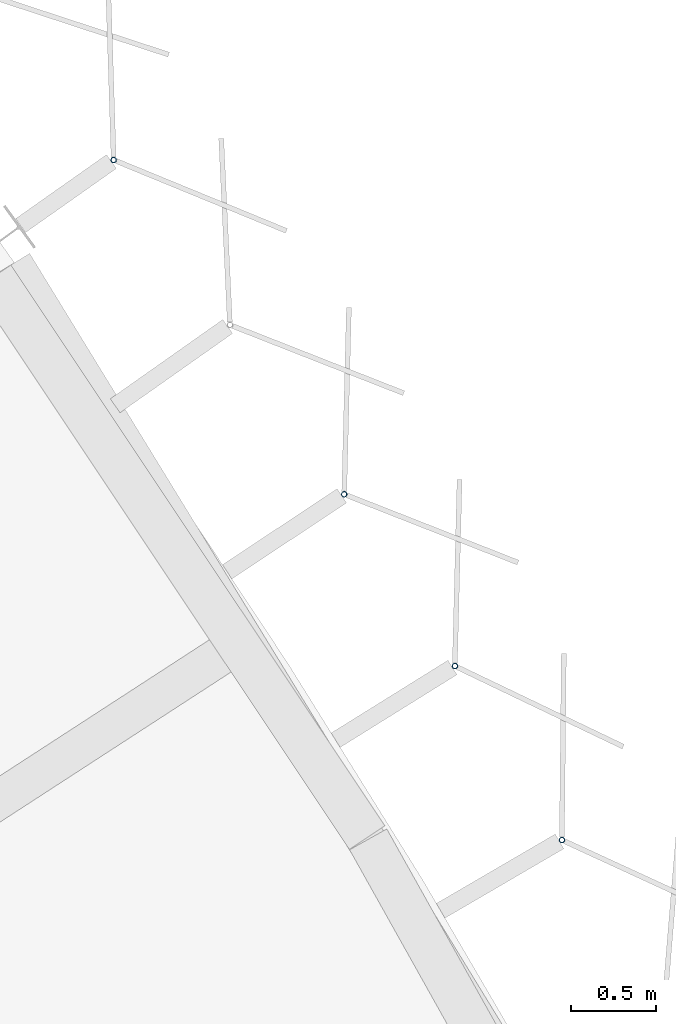
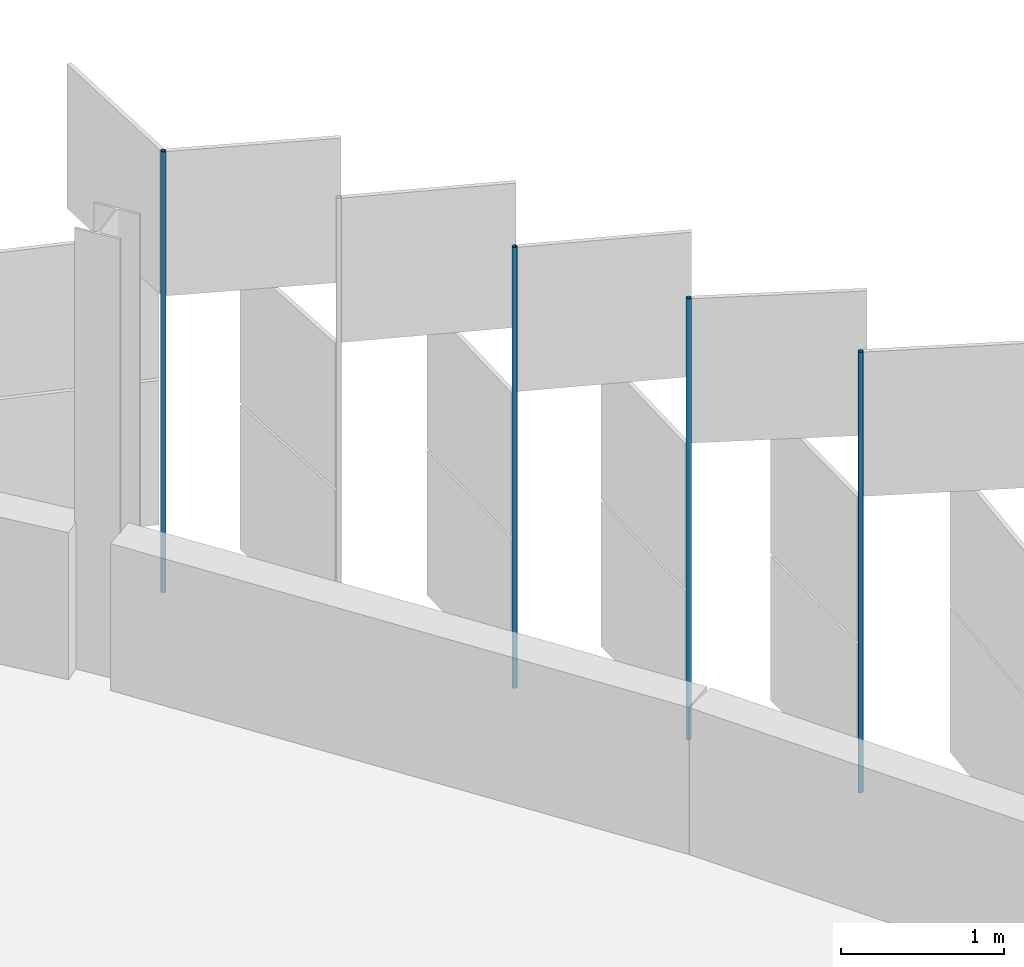
# One storey, part 124 of 198: 4 discrete accessories.
"""IFC4 building model written with IfcOpenShell, lengths in metres."""

import ifcopenshell
import ifcopenshell.guid

model = None  # the IFC model being written
_history = None  # IfcOwnerHistory: only IFC2X3 demands one
_inside = {}  # id of a spatial element -> (the spatial element, [elements in it])
_under = {}  # id of a project, library or spatial element -> (it, [spatial elements below it])
_declared = {}  # id of a project -> (the project, [libraries it declares])
_typed = {}  # id of a type object -> (the type object, [elements of that type])
_made_of = {}  # id of a material, layer set ... -> (it, [elements and type objects made of it])


def new_model(schema):
    """Start an empty IFC model of exactly this schema.

    Asked for "IFC4X3", IfcOpenShell would pick the latest addendum, in which some entities
    have other attributes; the version numbers below select the first issue.
    IFC2X3 requires an IfcOwnerHistory on every rooted entity: one is made here for all.
    """
    global model, _history
    if schema == "IFC4X3":
        model = ifcopenshell.file(schema_version=(4, 3, 0, 0))
    else:
        model = ifcopenshell.file(schema=schema)
    _inside.clear()
    _under.clear()
    _declared.clear()
    _typed.clear()
    _made_of.clear()
    _history = None
    if model.schema == "IFC2X3":
        org = make("IfcOrganization", Name="unknown")
        user = make(
            "IfcPersonAndOrganization",
            ThePerson=make("IfcPerson", FamilyName="unknown"),
            TheOrganization=org,
        )
        app = make(
            "IfcApplication",
            ApplicationDeveloper=org,
            Version="unknown",
            ApplicationFullName="unknown",
            ApplicationIdentifier="unknown",
        )
        _history = make(
            "IfcOwnerHistory",
            OwningUser=user,
            OwningApplication=app,
            ChangeAction="ADDED",
            CreationDate=0,
        )
    return model


def make(cls, **values):
    """One entity of the class cls with the attributes given. An attribute that is None is left unset."""
    return model.create_entity(
        cls, **{name: value for name, value in values.items() if value is not None}
    )


def rooted(cls, **values):
    """An entity with a GlobalId (a new one), such as an element, a storey or a relation."""
    return make(cls, GlobalId=ifcopenshell.guid.new(), OwnerHistory=_history, **values)


def si_unit(unit_type, name, prefix=None):
    """IfcSIUnit, for example si_unit("LENGTHUNIT", "METRE", prefix="MILLI")."""
    return make("IfcSIUnit", UnitType=unit_type, Prefix=prefix, Name=name)


def assignment(units):
    """IfcUnitAssignment: the units of a project."""
    return None if units is None else make("IfcUnitAssignment", Units=units)


def point(xyz):
    """IfcCartesianPoint."""
    return None if xyz is None else make("IfcCartesianPoint", Coordinates=xyz)


def direction(xyz):
    """IfcDirection."""
    return None if xyz is None else make("IfcDirection", DirectionRatios=xyz)


def frame(location, z_axis=None, x_axis=None):
    """IfcAxis2Placement3D, a coordinate frame: its origin and axes. An axis left out is left unset."""
    return make(
        "IfcAxis2Placement3D",
        Location=point(location),
        Axis=direction(z_axis),
        RefDirection=direction(x_axis),
    )


def frame_2d(location, x_axis=None):
    """IfcAxis2Placement2D, a coordinate frame in the plane: its origin and x axis."""
    return make(
        "IfcAxis2Placement2D", Location=point(location), RefDirection=direction(x_axis)
    )


def origin():
    """The frame at (0, 0, 0) with its axes left unset."""
    return frame((0.0, 0.0, 0.0))


def origin_2d():
    """The frame at (0, 0) in the plane with its x axis left unset."""
    return frame_2d((0.0, 0.0))


def place(relative_to, where):
    """IfcLocalPlacement: puts the frame where relative to a parent placement (None: the world)."""
    return make(
        "IfcLocalPlacement", PlacementRelTo=relative_to, RelativePlacement=where
    )


def context(
    kind, dimensions, precision=None, world=None, true_north=None, identifier=None
):
    """IfcGeometricRepresentationContext, for example the 3D "Model" context."""
    return make(
        "IfcGeometricRepresentationContext",
        ContextIdentifier=identifier,
        ContextType=kind,
        CoordinateSpaceDimension=dimensions,
        Precision=precision,
        WorldCoordinateSystem=world,
        TrueNorth=true_north,
    )


def subcontext(parent, identifier, kind, view, scale=None):
    """IfcGeometricRepresentationSubContext, for example "Body" below "Model"."""
    return make(
        "IfcGeometricRepresentationSubContext",
        ContextIdentifier=identifier,
        ContextType=kind,
        ParentContext=parent,
        TargetScale=scale,
        TargetView=view,
    )


def project(units=None, contexts=None):
    """IfcProject with its units and contexts."""
    return rooted(
        "IfcProject",
        Name="project",
        RepresentationContexts=contexts,
        UnitsInContext=assignment(units),
    )


def spatial(cls, under=None, at=None, **own):
    """A site, building, storey or space (cls), placed at a placement, below another one or the project."""
    s = rooted(cls, ObjectPlacement=at, **own)
    if under is not None:
        _under.setdefault(under.id(), (under, []))[1].append(s)
    return s


def profile(cls, at=None, kind="AREA", **sizes):
    """A parametric profile (cls). Its sizes go by their IFC names, for example OverallWidth=200.0."""
    return make(cls, ProfileType=kind, Position=at, **sizes)


def hollow_circle(**sizes):
    """IfcCircleHollowProfileDef."""
    return profile("IfcCircleHollowProfileDef", **sizes)


def extrude(swept, where, along, depth):
    """IfcExtrudedAreaSolid: the profile swept, set in the frame where, extruded along a direction by depth."""
    return make(
        "IfcExtrudedAreaSolid",
        SweptArea=swept,
        Position=where,
        ExtrudedDirection=direction(along),
        Depth=depth,
    )


def shape(context_of_items, identifier, shape_type, items):
    """IfcShapeRepresentation: the items that make up one representation, for example the "Body"."""
    return make(
        "IfcShapeRepresentation",
        ContextOfItems=context_of_items,
        RepresentationIdentifier=identifier,
        RepresentationType=shape_type,
        Items=items,
    )


def material(Name=None, Category=None):
    """IfcMaterial."""
    return make("IfcMaterial", Name=Name, Category=Category)


def material_profile(
    of_material, cross_section, Name=None, Category=None, Priority=None
):
    """IfcMaterialProfile: a cross section and its material."""
    return make(
        "IfcMaterialProfile",
        Name=Name,
        Material=of_material,
        Profile=cross_section,
        Priority=Priority,
        Category=Category,
    )


def profile_set(profiles, Name=None, composite=None):
    """IfcMaterialProfileSet."""
    return make(
        "IfcMaterialProfileSet",
        Name=Name,
        MaterialProfiles=profiles,
        CompositeProfile=composite,
    )


def made_of(thing, what):
    """Note that an element or type object is made of a material, layer set ...; save() writes the relation."""
    if what is not None:
        _made_of.setdefault(what.id(), (what, []))[1].append(thing)
    return thing


def type_object(cls, material=None, **own):
    """A type object (cls), such as IfcWallType, which elements share."""
    return made_of(rooted(cls, **own), material)


def element(
    cls,
    number,
    at=None,
    inside=None,
    cuts=None,
    type_object=None,
    material=None,
    context=None,
    identifier="Body",
    shape_type=None,
    held_by="IfcProductDefinitionShape",
    body=None,
    shapes=None,
    **own,
):
    """One element of the class cls, such as IfcWall. Its Tag is "e" and its number.

    at: its placement. inside: the storey or other place that contains it. cuts: it is an
    opening in that element (IfcRelVoidsElement). A single representation is given by context,
    identifier, shape_type and body (its items); several are given by shapes. held_by: the class
    of the entity that holds the representations. save() writes the other relations.
    """
    e = rooted(cls, Tag="e%d" % number, ObjectPlacement=at, **own)
    if body is not None:
        shapes = [shape(context, identifier, shape_type, body)]
    if shapes is not None:
        e.Representation = make(held_by, Representations=shapes)
    if inside is not None:
        _inside.setdefault(inside.id(), (inside, []))[1].append(e)
    if cuts is not None:
        rooted(
            "IfcRelVoidsElement", RelatingBuildingElement=cuts, RelatedOpeningElement=e
        )
    if type_object is not None:
        _typed.setdefault(type_object.id(), (type_object, []))[1].append(e)
    return made_of(e, material)


def aggregate(whole, parts):
    """IfcRelAggregates: a whole, such as a stair, and the parts it consists of."""
    return rooted("IfcRelAggregates", RelatingObject=whole, RelatedObjects=parts)


def save(model, path):
    """Write the relations noted so far, then the file.

    IfcRelAggregates (storeys below a building ...), IfcRelContainedInSpatialStructure (elements
    in a storey), IfcRelDefinesByType, IfcRelAssociatesMaterial and IfcRelDeclares: one each for
    every whole, place, type object, material and project.
    """
    for whole, parts in _under.values():
        aggregate(whole, parts)
    for where, things in _inside.values():
        rooted(
            "IfcRelContainedInSpatialStructure",
            RelatedElements=things,
            RelatingStructure=where,
        )
    for kind, things in _typed.values():
        rooted("IfcRelDefinesByType", RelatedObjects=things, RelatingType=kind)
    for what, things in _made_of.values():
        rooted("IfcRelAssociatesMaterial", RelatedObjects=things, RelatingMaterial=what)
    for by, libraries in _declared.values():
        rooted("IfcRelDeclares", RelatingContext=by, RelatedDefinitions=libraries)
    model.write(path)


model = new_model("IFC4")

# Units and contexts
model_context = context("Model", 3, precision=1e-05, world=origin(), true_north=direction((0.0, 1.0)))
body_context = subcontext(model_context, "Body", "Model", "MODEL_VIEW")
ifc_project = project(units=[si_unit("LENGTHUNIT", "METRE"), si_unit("AREAUNIT", "SQUARE_METRE"), si_unit("VOLUMEUNIT", "CUBIC_METRE"), si_unit("PLANEANGLEUNIT", "RADIAN"), si_unit("MASSUNIT", "GRAM", prefix="KILO")], contexts=[model_context])

# Site, building, storey
site_placement = place(None, origin())
site = spatial("IfcSite", under=ifc_project, at=site_placement, CompositionType="ELEMENT")
building_placement = place(site_placement, origin())
building = spatial("IfcBuilding", under=site, at=building_placement, Name="Parallax Yard Mobility Hub", CompositionType="ELEMENT")
storey_placement = place(building_placement, frame((0.0, 0.0, 6.60009765625)))
storey = spatial("IfcBuildingStorey", under=building, at=storey_placement, Name="L02", CompositionType="ELEMENT", Elevation=6.60009765625)

# Discrete accessories
ifc_material = material(Name="Steel ASTM A500 Gr C, hot-dip galvanised", Category="steel")
ifc_material_profile = material_profile(ifc_material, hollow_circle(Radius=0.016845703125, WallThickness=0.003173828125, at=origin_2d()), Name="CHS 33.7x3.2")
ifc_profile_set = profile_set([ifc_material_profile], Name="Steel ASTM A500 Gr C, hot-dip galvanised")
discrete_accessory_type = type_object("IfcDiscreteAccessoryType", Name="Hinge post CHS 33.7x3.2", PredefinedType="BRACKET", material=ifc_profile_set)
for number, where, z_axis, x_axis, name in (
    (1, (218.2763671875, 117.34375, 0.0), (0.0, 0.0, 1.0), (1.0, 0.0, 0.0), "Hinge post bay 44.4 level L02"),
    (2, (217.647705078125, 118.365478515625, 0.0), (0.0, 0.0, 1.0), (1.0, 0.0, 0.0), "Hinge post bay 44.5 level L02"),
    (3, (216.997802734375, 119.373779296875, 0.0), (0.0, 0.0, 1.0), (1.0, 0.0, 0.0), "Hinge post bay 44.6 level L02"),
    (4, (215.644287109375, 121.336669921875, 0.0), (0.0, 0.0, 1.0), (1.0, 0.0, 0.0), "Hinge post bay 45.1 level L02"),
):
    element("IfcDiscreteAccessory", number, at=place(storey_placement, frame(where, z_axis=z_axis, x_axis=x_axis)), inside=storey, type_object=discrete_accessory_type, Name=name, PredefinedType="BRACKET", context=body_context, shape_type="SweptSolid", body=[
        extrude(hollow_circle(Radius=0.016845703125, WallThickness=0.003173828125, at=origin_2d()), origin(), (0.0, 0.0, 1.0), 3.2998046875),
    ])

save(model, "model.ifc")
